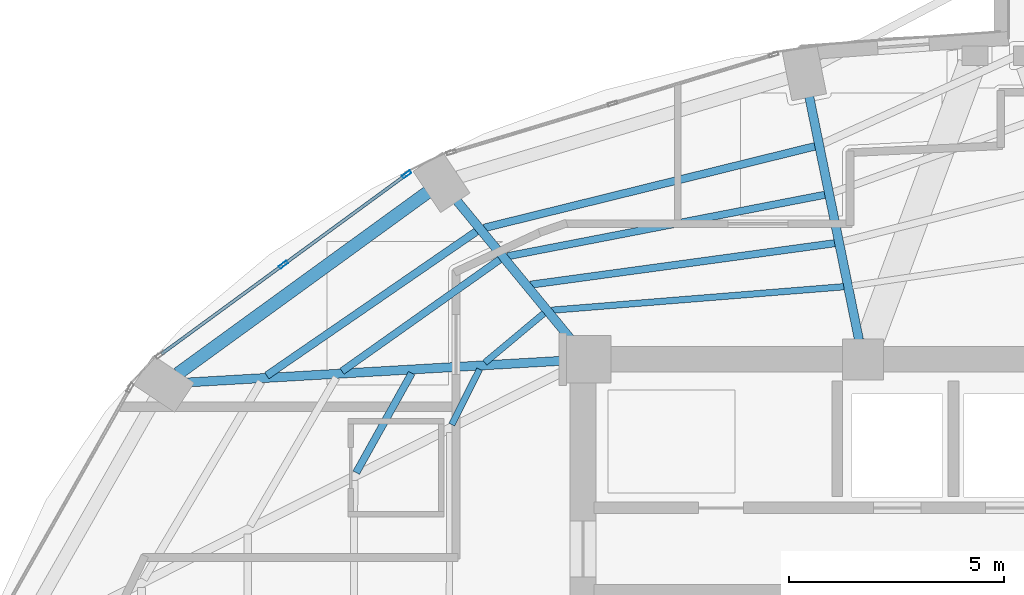
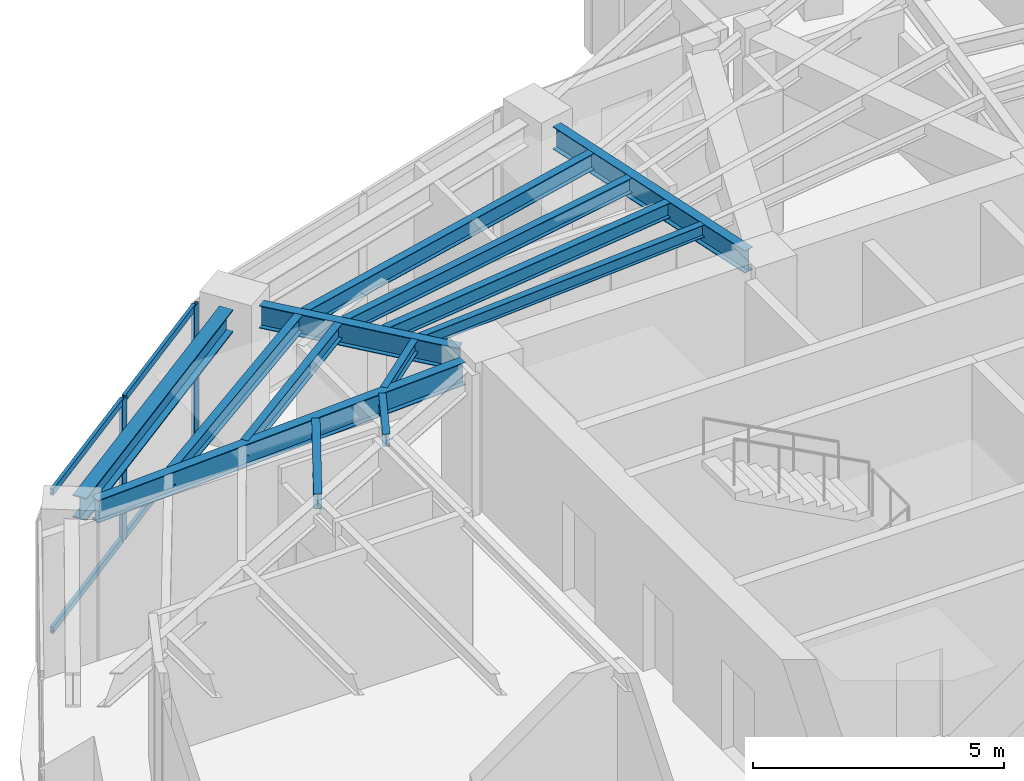
# One storey, part 7 of 20: 13 beams, 6 members, 1 element without a shape of its own.
"""IFC4 building model written with IfcOpenShell, lengths in metres."""

from ifc_helpers import new_model, si_unit, direction, frame, origin, origin_2d, place, context, subcontext, project, spatial, hollow_rectangle, i_section, extrude, material, layer, layer_set, material_profile, profile_set, type_object, element, aggregate, save


model = new_model("IFC4")

# Units and contexts
model_context = context("Model", 3, precision=1e-05, world=origin(), true_north=direction((0.0, 1.0)))
body_context = subcontext(model_context, "Body", "Model", "MODEL_VIEW")
ifc_project = project(units=[si_unit("LENGTHUNIT", "METRE"), si_unit("AREAUNIT", "SQUARE_METRE"), si_unit("VOLUMEUNIT", "CUBIC_METRE"), si_unit("PLANEANGLEUNIT", "RADIAN"), si_unit("MASSUNIT", "GRAM", prefix="KILO")], contexts=[model_context])

# Site, building, storey
site_placement = place(None, origin())
site = spatial("IfcSite", under=ifc_project, at=site_placement, CompositionType="ELEMENT")
building_placement = place(site_placement, origin())
building = spatial("IfcBuilding", under=site, at=building_placement, Name="Lazwardi Medical Tower", CompositionType="ELEMENT")
storey_placement = place(building_placement, frame((0.0, 0.0, 145.583984375)))
storey = spatial("IfcBuildingStorey", under=building, at=storey_placement, Name="L37", CompositionType="ELEMENT", Elevation=145.583984375)

# Beams
ifc_material_1 = material(Name="Steel S355", Category="steel")
ifc_material_profile_1 = material_profile(ifc_material_1, i_section(OverallWidth=0.300048828125, OverallDepth=0.550048828125, WebThickness=0.014892578125, FlangeThickness=0.029052734375, at=origin_2d()), Name="HEB 550")
ifc_profile_set_1 = profile_set([ifc_material_profile_1], Name="Steel S355")
beam_type_1 = type_object("IfcBeamType", Name="BM-RB-Z3", PredefinedType="BEAM", material=ifc_profile_set_1)
beam_1_placement = place(storey_placement, frame((22.689697265625, 39.479248046875, 3.153076171875), z_axis=(-0.809127570774, -0.587633026824, 0.0), x_axis=(0.587633026824, -0.809127570774, 0.0)))
element("IfcBeam", 1, at=beam_1_placement, inside=storey, type_object=beam_type_1, Name="Ring beam RB-04 B10 L37", PredefinedType="BEAM", context=body_context, shape_type="SweptSolid", body=[
    extrude(i_section(OverallWidth=0.300048828125, OverallDepth=0.550048828125, WebThickness=0.014892578125, FlangeThickness=0.029052734375, at=origin_2d()), origin(), (0.0, 0.0, 1.0), 7.170166015625),
])
ifc_material_profile_2 = material_profile(ifc_material_1, i_section(OverallWidth=0.2099609375, OverallDepth=0.550048828125, WebThickness=0.010986328125, FlangeThickness=0.01708984375, at=origin_2d()), Name="IPE 550")
ifc_profile_set_2 = profile_set([ifc_material_profile_2], Name="Steel S355")
beam_type_2 = type_object("IfcBeamType", Name="BM-RG-W2", PredefinedType="BEAM", material=ifc_profile_set_2)
beam_2_placement = place(storey_placement, frame((31.552001953125, 41.7001953125, 3.153076171875), z_axis=(0.200429485343, -0.979708130723, 0.0), x_axis=(0.979708130723, 0.200429485343, 0.0)))
element("IfcBeam", 2, at=beam_2_placement, inside=storey, type_object=beam_type_2, Name="Radial girder RG-03 R09 L37", PredefinedType="BEAM", context=body_context, shape_type="SweptSolid", body=[
    extrude(i_section(OverallWidth=0.2099609375, OverallDepth=0.550048828125, WebThickness=0.010986328125, FlangeThickness=0.01708984375, at=origin_2d()), origin(), (0.0, 0.0, 1.0), 5.766357421875),
])
beam_3_placement = place(storey_placement, frame((23.369384765625, 39.28173828125, 3.153076171875), z_axis=(0.635555639966, -0.772055068312, 0.0), x_axis=(0.772055068312, 0.635555639966, 0.0)))
element("IfcBeam", 3, at=beam_3_placement, inside=storey, type_object=beam_type_2, Name="Radial girder RG-03 R10 L37", PredefinedType="BEAM", context=body_context, shape_type="SweptSolid", body=[
    extrude(i_section(OverallWidth=0.2099609375, OverallDepth=0.550048828125, WebThickness=0.010986328125, FlangeThickness=0.01708984375, at=origin_2d()), origin(), (0.0, 0.0, 1.0), 4.233642578125),
])
beam_4_placement = place(storey_placement, frame((17.12353515625, 35.063232421875, 3.153076171875), z_axis=(0.998330154646, 0.057765927014, 0.0), x_axis=(-0.057765927014, 0.998330154646, 0.0)))
element("IfcBeam", 4, at=beam_4_placement, inside=storey, type_object=beam_type_2, Name="Radial girder RG-03 R11 L37", PredefinedType="BEAM", context=body_context, shape_type="SweptSolid", body=[
    extrude(i_section(OverallWidth=0.2099609375, OverallDepth=0.550048828125, WebThickness=0.010986328125, FlangeThickness=0.01708984375, at=origin_2d()), origin(), (0.0, 0.0, 1.0), 8.757080078125),
])
ifc_material_profile_3 = material_profile(ifc_material_1, i_section(OverallWidth=0.179931640625, OverallDepth=0.39990234375, WebThickness=0.008544921875, FlangeThickness=0.013427734375, at=origin_2d()), Name="IPE 400")
ifc_profile_set_3 = profile_set([ifc_material_profile_3], Name="Steel S355")
beam_type_3 = type_object("IfcBeamType", Name="BM-SJ-01", PredefinedType="JOIST", material=ifc_profile_set_3)
beam_5_placement = place(storey_placement, frame((31.68603515625, 40.54638671875, 3.22802734375), z_axis=(-0.970912648168, -0.239433977597, 0.0), x_axis=(0.239433977597, -0.970912648168, 0.0)))
element("IfcBeam", 5, at=beam_5_placement, inside=storey, type_object=beam_type_3, Name="Secondary joist SJ-01 R1 B09 L37", PredefinedType="JOIST", context=body_context, shape_type="SweptSolid", body=[
    extrude(i_section(OverallWidth=0.179931640625, OverallDepth=0.39990234375, WebThickness=0.008544921875, FlangeThickness=0.013427734375, at=origin_2d()), origin(), (0.0, 0.0, 1.0), 7.91162109375),
])
beam_6_placement = place(storey_placement, frame((23.8251953125, 38.5712890625, 3.22802734375), z_axis=(-0.823932256005, -0.566688307198, 0.0), x_axis=(0.566688307198, -0.823932256005, 0.0)))
element("IfcBeam", 6, at=beam_6_placement, inside=storey, type_object=beam_type_3, Name="Secondary joist SJ-01 R1 B10 L37", PredefinedType="JOIST", context=body_context, shape_type="SweptSolid", body=[
    extrude(i_section(OverallWidth=0.179931640625, OverallDepth=0.39990234375, WebThickness=0.008544921875, FlangeThickness=0.013427734375, at=origin_2d()), origin(), (0.0, 0.0, 1.0), 5.91162109375),
])
ifc_material_profile_4 = material_profile(ifc_material_1, i_section(OverallWidth=0.169921875, OverallDepth=0.360107421875, WebThickness=0.008056640625, FlangeThickness=0.0126953125, at=origin_2d()), Name="IPE 360")
ifc_profile_set_4 = profile_set([ifc_material_profile_4], Name="Steel S355")
beam_type_4 = type_object("IfcBeamType", Name="BM-SJ-02", PredefinedType="JOIST", material=ifc_profile_set_4)
beam_7_placement = place(storey_placement, frame((31.916015625, 39.42138671875, 3.248046875), z_axis=(-0.981753035865, -0.190160396953, 0.0), x_axis=(0.190160396953, -0.981753035865, 0.0)))
element("IfcBeam", 7, at=beam_7_placement, inside=storey, type_object=beam_type_4, Name="Secondary joist SJ-02 R2 B09 L37", PredefinedType="JOIST", context=body_context, shape_type="SweptSolid", body=[
    extrude(i_section(OverallWidth=0.169921875, OverallDepth=0.360107421875, WebThickness=0.008056640625, FlangeThickness=0.0126953125, at=origin_2d()), origin(), (0.0, 0.0, 1.0), 7.50927734375),
])
beam_8_placement = place(storey_placement, frame((24.364013671875, 37.91650390625, 3.248046875), z_axis=(-0.816108950798, -0.577898070967, 0.0), x_axis=(0.577898070967, -0.816108950798, 0.0)))
element("IfcBeam", 8, at=beam_8_placement, inside=storey, type_object=beam_type_4, Name="Secondary joist SJ-02 R2 B10 L37", PredefinedType="JOIST", context=body_context, shape_type="SweptSolid", body=[
    extrude(i_section(OverallWidth=0.169921875, OverallDepth=0.360107421875, WebThickness=0.008056640625, FlangeThickness=0.0126953125, at=origin_2d()), origin(), (0.0, 0.0, 1.0), 4.487060546875),
])
beam_9_placement = place(storey_placement, frame((32.146484375, 38.297119140625, 3.248046875), z_axis=(-0.990832043476, -0.135099450852, 0.0), x_axis=(0.135099450852, -0.990832043476, 0.0)))
element("IfcBeam", 9, at=beam_9_placement, inside=storey, type_object=beam_type_4, Name="Secondary joist SJ-02 R3 B09 L37", PredefinedType="JOIST", context=body_context, shape_type="SweptSolid", body=[
    extrude(i_section(OverallWidth=0.169921875, OverallDepth=0.360107421875, WebThickness=0.008056640625, FlangeThickness=0.0126953125, at=origin_2d()), origin(), (0.0, 0.0, 1.0), 7.129150390625),
])
beam_10_placement = place(storey_placement, frame((22.3203125, 35.279296875, 3.248046875), z_axis=(-0.487099444348, -0.87334651274, 0.0), x_axis=(0.87334651274, -0.487099444348, 0.0)))
element("IfcBeam", 10, at=beam_10_placement, inside=storey, type_object=beam_type_4, Name="Secondary joist SJ-02 R3 B11 L37", PredefinedType="JOIST", context=body_context, shape_type="SweptSolid", body=[
    extrude(i_section(OverallWidth=0.169921875, OverallDepth=0.360107421875, WebThickness=0.008056640625, FlangeThickness=0.0126953125, at=origin_2d()), origin(), (0.0, 0.0, 1.0), 2.64599609375),
])
ifc_material_profile_5 = material_profile(ifc_material_1, i_section(OverallWidth=0.14990234375, OverallDepth=0.300048828125, WebThickness=0.007080078125, FlangeThickness=0.0107421875, at=origin_2d()), Name="IPE 300")
ifc_profile_set_5 = profile_set([ifc_material_profile_5], Name="Steel S355")
beam_type_5 = type_object("IfcBeamType", Name="BM-SJ-03", PredefinedType="JOIST", material=ifc_profile_set_5)
beam_11_placement = place(storey_placement, frame((32.353759765625, 37.28564453125, 3.278076171875), z_axis=(-0.996785792338, -0.08011294647, 0.0), x_axis=(0.08011294647, -0.996785792338, 0.0)))
element("IfcBeam", 11, at=beam_11_placement, inside=storey, type_object=beam_type_5, Name="Secondary joist SJ-03 R4 B09 L37", PredefinedType="JOIST", context=body_context, shape_type="SweptSolid", body=[
    extrude(i_section(OverallWidth=0.14990234375, OverallDepth=0.300048828125, WebThickness=0.007080078125, FlangeThickness=0.0107421875, at=origin_2d()), origin(), (0.0, 0.0, 1.0), 6.80810546875),
])
beam_12_placement = place(storey_placement, frame((25.391357421875, 36.668212890625, 3.278076171875), z_axis=(-0.767437193893, -0.641124132621, 0.0), x_axis=(0.641124132621, -0.767437193893, 0.0)))
element("IfcBeam", 12, at=beam_12_placement, inside=storey, type_object=beam_type_5, Name="Secondary joist SJ-03 R4 B10 L37", PredefinedType="JOIST", context=body_context, shape_type="SweptSolid", body=[
    extrude(i_section(OverallWidth=0.14990234375, OverallDepth=0.300048828125, WebThickness=0.007080078125, FlangeThickness=0.0107421875, at=origin_2d()), origin(), (0.0, 0.0, 1.0), 1.787841796875),
])
beam_13_placement = place(storey_placement, frame((23.8974609375, 35.368408203125, 3.278076171875), z_axis=(-0.450406075332, -0.892823816497, 0.0), x_axis=(0.892823816497, -0.450406075332, 0.0)))
element("IfcBeam", 13, at=beam_13_placement, inside=storey, type_object=beam_type_5, Name="Secondary joist SJ-03 R4 B11 L37", PredefinedType="JOIST", context=body_context, shape_type="SweptSolid", body=[
    extrude(i_section(OverallWidth=0.14990234375, OverallDepth=0.300048828125, WebThickness=0.007080078125, FlangeThickness=0.0107421875, at=origin_2d()), origin(), (0.0, 0.0, 1.0), 1.4365234375),
])

# Curtain wall, members
ifc_material_2 = material(Name="Anodised bronze aluminium and solar control glazing", Category="aluminium")
ifc_layer = layer(ifc_material_2, 0.195068359375)
ifc_layer_set = layer_set([ifc_layer], Name="Anodised bronze aluminium and solar control glazing")
curtain_wall_type = type_object("IfcCurtainWallType", Name="CW-SYS-03", PredefinedType="NOTDEFINED", material=ifc_layer_set)
curtain_wall_placement = place(storey_placement, origin())
curtain_wall = element("IfcCurtainWall", 14, at=curtain_wall_placement, inside=storey, type_object=curtain_wall_type, Name="L37 Unitised bronze curtain wall CW-03", PredefinedType="NOTDEFINED")
ifc_material_3 = material(Name="Anodised bronze aluminium", Category="aluminium")
ifc_material_profile_6 = material_profile(ifc_material_3, hollow_rectangle(XDim=0.074951171875, YDim=0.219970703125, WallThickness=0.00390625, at=origin_2d()), Name="ALU-MULLION 220x75x4")
ifc_profile_set_6 = profile_set([ifc_material_profile_6], Name="Anodised bronze aluminium")
member_type_1 = type_object("IfcMemberType", Name="CW-MUL-01", PredefinedType="MULLION", material=ifc_profile_set_6)
member_1_placement = place(storey_placement, frame((22.204345703125, 39.894775390625, 0.0), z_axis=(0.0, 0.0, 1.0), x_axis=(0.590833862635, -0.806793249082, 0.0)))
member_1 = element("IfcMember", 15, at=member_1_placement, type_object=member_type_1, Name="CW-03 mullion 1", PredefinedType="MULLION", context=body_context, shape_type="SweptSolid", body=[
    extrude(hollow_rectangle(XDim=0.074951171875, YDim=0.219970703125, WallThickness=0.00390625, at=origin_2d()), origin(), (0.0, 0.0, 1.0), 3.427978515625),
])
member_2_placement = place(storey_placement, frame((19.34228515625, 37.798828125, 0.0), z_axis=(0.0, 0.0, 1.0), x_axis=(0.590833862635, -0.806793249082, 0.0)))
member_2 = element("IfcMember", 16, at=member_2_placement, type_object=member_type_1, Name="CW-03 mullion 2", PredefinedType="MULLION", context=body_context, shape_type="SweptSolid", body=[
    extrude(hollow_rectangle(XDim=0.074951171875, YDim=0.219970703125, WallThickness=0.00390625, at=origin_2d()), origin(), (0.0, 0.0, 1.0), 3.427978515625),
])
ifc_material_profile_7 = material_profile(ifc_material_3, hollow_rectangle(XDim=0.074951171875, YDim=0.159912109375, WallThickness=0.00390625, at=origin_2d()), Name="ALU-TRANSOM 160x75x4")
ifc_profile_set_7 = profile_set([ifc_material_profile_7], Name="Anodised bronze aluminium")
member_type_2 = type_object("IfcMemberType", Name="CW-TRN-01", PredefinedType="USERDEFINED", material=ifc_profile_set_7)
member_3_placement = place(storey_placement, frame((22.174072265625, 39.872802734375, 0.03759765625), z_axis=(-0.806773646358, -0.590860629542, 0.0), x_axis=(0.590860629542, -0.806773646358, 0.0)))
member_3 = element("IfcMember", 17, at=member_3_placement, type_object=member_type_2, Name="CW-03 transom 1.1", ObjectType="TRANSOM", PredefinedType="USERDEFINED", context=body_context, shape_type="SweptSolid", body=[
    extrude(hollow_rectangle(XDim=0.074951171875, YDim=0.159912109375, WallThickness=0.00390625, at=origin_2d()), origin(), (0.0, 0.0, 1.0), 3.472412109375),
])
member_4_placement = place(storey_placement, frame((22.174072265625, 39.872802734375, 3.390625), z_axis=(-0.806773646358, -0.590860629542, 0.0), x_axis=(0.590860629542, -0.806773646358, 0.0)))
member_4 = element("IfcMember", 18, at=member_4_placement, type_object=member_type_2, Name="CW-03 transom 1.2", ObjectType="TRANSOM", PredefinedType="USERDEFINED", context=body_context, shape_type="SweptSolid", body=[
    extrude(hollow_rectangle(XDim=0.074951171875, YDim=0.159912109375, WallThickness=0.00390625, at=origin_2d()), origin(), (0.0, 0.0, 1.0), 3.472412109375),
])
member_5_placement = place(storey_placement, frame((19.31201171875, 37.77685546875, 0.03759765625), z_axis=(-0.806773646358, -0.590860629542, 0.0), x_axis=(0.590860629542, -0.806773646358, 0.0)))
member_5 = element("IfcMember", 19, at=member_5_placement, type_object=member_type_2, Name="CW-03 transom 2.1", ObjectType="TRANSOM", PredefinedType="USERDEFINED", context=body_context, shape_type="SweptSolid", body=[
    extrude(hollow_rectangle(XDim=0.074951171875, YDim=0.159912109375, WallThickness=0.00390625, at=origin_2d()), origin(), (0.0, 0.0, 1.0), 3.472412109375),
])
member_6_placement = place(storey_placement, frame((19.31201171875, 37.77685546875, 3.390625), z_axis=(-0.806773646358, -0.590860629542, 0.0), x_axis=(0.590860629542, -0.806773646358, 0.0)))
member_6 = element("IfcMember", 20, at=member_6_placement, type_object=member_type_2, Name="CW-03 transom 2.2", ObjectType="TRANSOM", PredefinedType="USERDEFINED", context=body_context, shape_type="SweptSolid", body=[
    extrude(hollow_rectangle(XDim=0.074951171875, YDim=0.159912109375, WallThickness=0.00390625, at=origin_2d()), origin(), (0.0, 0.0, 1.0), 3.472412109375),
])
aggregate(curtain_wall, [member_1, member_2, member_3, member_4, member_5, member_6])

save(model, "model.ifc")
